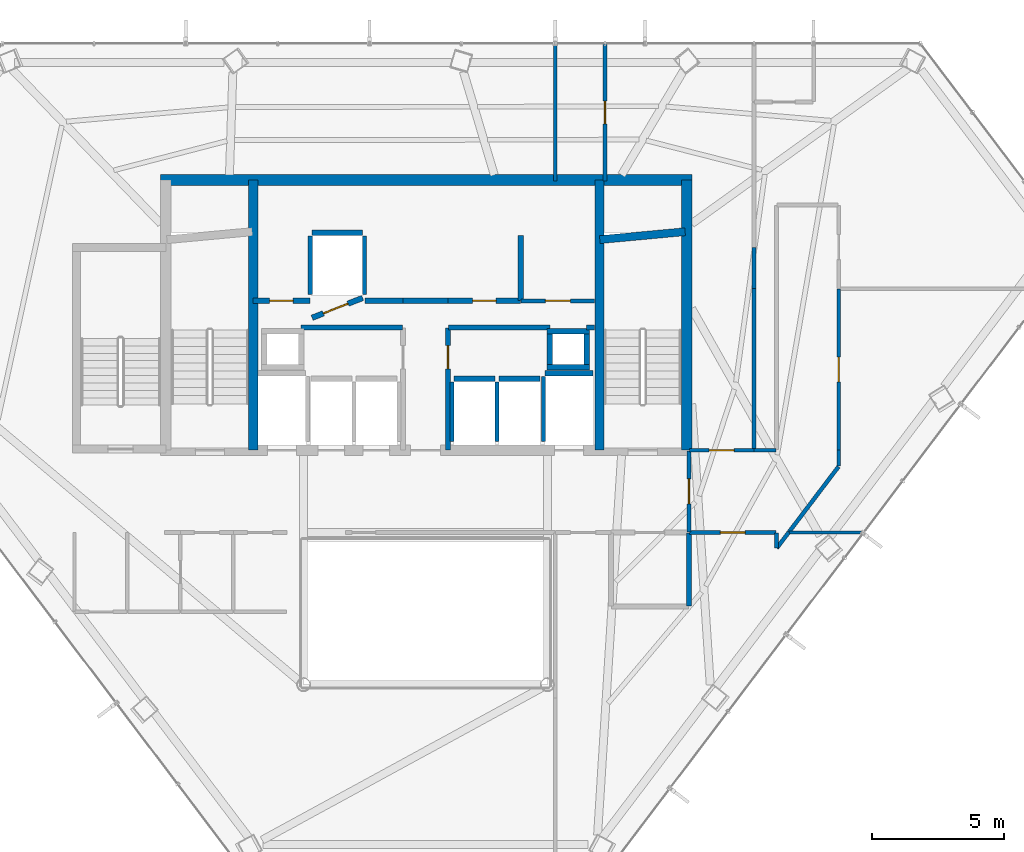
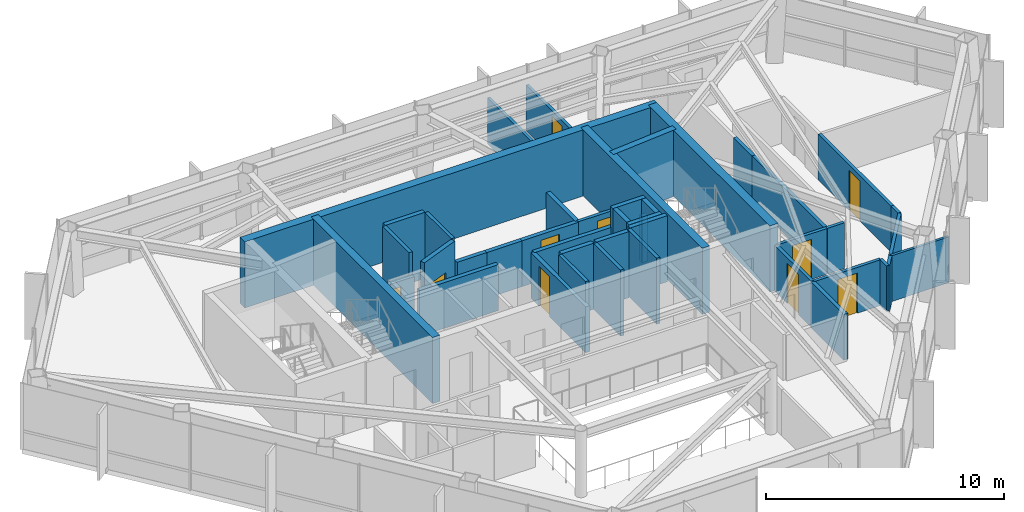
# One storey, part 26 of 28: 44 walls, 10 doors, 10 openings.
"""IFC4 building model written with IfcOpenShell, lengths in metres."""

from ifc_helpers import new_model, si_unit, direction, frame, frame_2d, origin, place, context, subcontext, project, spatial, rectangle, extrude, material, layer, layer_set, type_object, element, fill, save


model = new_model("IFC4")

# Units and contexts
model_context = context("Model", 3, precision=1e-05, world=origin(), true_north=direction((0.0, 1.0)))
body_context = subcontext(model_context, "Body", "Model", "MODEL_VIEW")
ifc_project = project(units=[si_unit("LENGTHUNIT", "METRE"), si_unit("AREAUNIT", "SQUARE_METRE"), si_unit("VOLUMEUNIT", "CUBIC_METRE"), si_unit("PLANEANGLEUNIT", "RADIAN"), si_unit("MASSUNIT", "GRAM", prefix="KILO")], contexts=[model_context])

# Site, building, storey
site_placement = place(None, origin())
site = spatial("IfcSite", under=ifc_project, at=site_placement, CompositionType="ELEMENT")
building_placement = place(site_placement, origin())
building = spatial("IfcBuilding", under=site, at=building_placement, Name="Zarrinselat Tower", CompositionType="ELEMENT")
storey_placement = place(building_placement, frame((0.0, 0.0, 190.739990234375)))
storey = spatial("IfcBuildingStorey", under=building, at=storey_placement, Name="L47", CompositionType="ELEMENT", Elevation=190.739990234375)

# Walls
ifc_material_1 = material(Name="Fire-Rated Gypsum Board Partition", Category="gypsum")
ifc_layer_1 = layer(ifc_material_1, 0.1650390625)
ifc_layer_set_1 = layer_set([ifc_layer_1], Name="Fire-Rated Gypsum Board Partition")
wall_type_1 = type_object("IfcWallType", Name="WAL-PART-DEMISE", PredefinedType="PARTITIONING", material=ifc_layer_set_1)
wall_1_placement = place(storey_placement, frame((50.800048828125, 33.27001953125, 0.0), z_axis=(0.0, 0.0, 1.0), x_axis=(0.0, 1.0, 0.0)))
element("IfcWall", 1, at=wall_1_placement, inside=storey, type_object=wall_type_1, Name="L47 Partition Wall 48", PredefinedType="PARTITIONING", context=body_context, shape_type="SweptSolid", body=[
    extrude(rectangle(XDim=6.077880859375, YDim=0.1650390625, at=frame_2d((3.0390625, 0.0))), origin(), (0.0, 0.0, 1.0), 2.346923828125),
])
wall_2_placement = place(storey_placement, frame((50.800048828125, 39.347900390625, 0.0), z_axis=(0.0, 0.0, 1.0), x_axis=(0.0, 1.0, 0.0)))
element("IfcWall", 2, at=wall_2_placement, inside=storey, type_object=wall_type_1, Name="L47 Partition Wall 49", PredefinedType="PARTITIONING", context=body_context, shape_type="SweptSolid", body=[
    extrude(rectangle(XDim=1.5498046875, YDim=0.1650390625, at=frame_2d((0.77490234375, 0.0))), origin(), (0.0, 0.0, 1.0), 2.346923828125),
])
ifc_material_2 = material(Name="Concrete C40/50", Category="concrete")
ifc_layer_2 = layer(ifc_material_2, 0.18994140625)
ifc_layer_set_2 = layer_set([ifc_layer_2], Name="Concrete C40/50")
wall_type_2 = type_object("IfcWallType", Name="WAL-PART-EI120", PredefinedType="PARTITIONING", material=ifc_layer_set_2)
wall_3_placement = place(storey_placement, frame((48.35009765625, 27.3701171875, 0.0), z_axis=(0.0, 0.0, 1.0), x_axis=(0.0, 1.0, 0.0)))
element("IfcWall", 3, at=wall_3_placement, inside=storey, type_object=wall_type_2, Name="L47 Partition Wall 21", PredefinedType="PARTITIONING", context=body_context, shape_type="SweptSolid", body=[
    extrude(rectangle(XDim=2.759765625, YDim=0.18994140625, at=frame_2d((1.3798828125, 0.0))), origin(), (0.0, 0.0, 1.0), 2.346923828125),
])

# Wall, opening, door
ifc_material_3 = material(Name="Fire-Rated Gypsum Board Partition", Category="gypsum")
ifc_layer_3 = layer(ifc_material_3, 0.14990234375)
ifc_layer_set_3 = layer_set([ifc_layer_3], Name="Fire-Rated Gypsum Board Partition")
wall_type_3 = type_object("IfcWallType", Name="WAL-PART-EI60", PredefinedType="PARTITIONING", material=ifc_layer_set_3)
wall_4_placement = place(storey_placement, frame((42.0048828125, 38.889892578125, 0.0), z_axis=(0.0, 0.0, 1.0), x_axis=(1.0, 0.0, 0.0)))
wall_4 = element("IfcWall", 4, at=wall_4_placement, inside=storey, type_object=wall_type_3, Name="L47 Partition Wall 7", PredefinedType="PARTITIONING", context=body_context, shape_type="SweptSolid", body=[
    extrude(rectangle(XDim=2.780029296875, YDim=0.14990234375, at=frame_2d((1.39013671875, 0.0))), origin(), (0.0, 0.0, 1.0), 2.346923828125),
])
opening_1_placement = place(wall_4_placement, frame((0.919921875, 0.0, 0.0)))
opening_1 = element("IfcOpeningElement", 5, at=opening_1_placement, cuts=wall_4, Name="Opening ID-04", PredefinedType="OPENING", context=body_context, shape_type="SweptSolid", body=[
    extrude(rectangle(XDim=0.93994140625, YDim=2.050048828125, at=frame_2d((0.469970703125, 1.02490234375))), frame((0.0, 0.0849609375, 0.0), z_axis=(0.0, -1.0, 0.0), x_axis=(1.0, 0.0, 0.0)), (0.0, 0.0, 1.0), 0.169921875),
])
ifc_material_4 = material(Name="Fire-Rated Gypsum Board Partition")
door_type_1 = type_object("IfcDoorType", Name="DR-INT-FD30-ENT", OperationType="NOTDEFINED", PredefinedType="DOOR", material=ifc_material_4)
door_1_placement = place(opening_1_placement, origin())
door_1 = element("IfcDoor", 6, at=door_1_placement, inside=storey, type_object=door_type_1, Name="L47 Interior Door P7", OperationType="SINGLE_SWING_RIGHT", OverallHeight=2.050048828125, OverallWidth=0.93994140625, PredefinedType="DOOR", context=body_context, shape_type="SweptSolid", body=[
    extrude(rectangle(XDim=0.93994140625, YDim=2.050048828125, at=frame_2d((0.469970703125, 1.02490234375))), frame((0.0, 0.02490234375, 0.0), z_axis=(0.0, -1.0, 0.0), x_axis=(1.0, 0.0, 0.0)), (0.0, 0.0, 1.0), 0.050048828125),
])
fill(opening_1, door_1)

wall_5_placement = place(storey_placement, frame((48.35009765625, 30.169921875, 0.0), z_axis=(0.0, 0.0, 1.0), x_axis=(0.0, 1.0, 0.0)))
wall_5 = element("IfcWall", 7, at=wall_5_placement, inside=storey, type_object=wall_type_3, Name="L47 Partition Wall 13", PredefinedType="PARTITIONING", context=body_context, shape_type="SweptSolid", body=[
    extrude(rectangle(XDim=3.06005859375, YDim=0.14990234375, at=frame_2d((1.530029296875, 0.0))), origin(), (0.0, 0.0, 1.0), 2.346923828125),
])
opening_2_placement = place(wall_5_placement, frame((1.06005859375, 0.0, 0.0)))
opening_2 = element("IfcOpeningElement", 8, at=opening_2_placement, cuts=wall_5, Name="Opening ID-04", PredefinedType="OPENING", context=body_context, shape_type="SweptSolid", body=[
    extrude(rectangle(XDim=0.93994140625, YDim=2.050048828125, at=frame_2d((0.469970703125, 1.02490234375))), frame((0.0, 0.0849609375, 0.0), z_axis=(0.0, -1.0, 0.0), x_axis=(1.0, 0.0, 0.0)), (0.0, 0.0, 1.0), 0.169921875),
])
door_2_placement = place(opening_2_placement, origin())
door_2 = element("IfcDoor", 9, at=door_2_placement, inside=storey, type_object=door_type_1, Name="L47 Interior Door P13", OperationType="SINGLE_SWING_LEFT", OverallHeight=2.050048828125, OverallWidth=0.93994140625, PredefinedType="DOOR", context=body_context, shape_type="SweptSolid", body=[
    extrude(rectangle(XDim=0.93994140625, YDim=2.050048828125, at=frame_2d((0.469970703125, 1.02490234375))), frame((0.0, 0.02490234375, 0.0), z_axis=(0.0, -1.0, 0.0), x_axis=(1.0, 0.0, 0.0)), (0.0, 0.0, 1.0), 0.050048828125),
])
fill(opening_2, door_2)

# Walls
wall_6_placement = place(storey_placement, frame((51.662109375, 29.557373046875, 0.0), z_axis=(0.0, 0.0, 1.0), x_axis=(0.603572672845, 0.797307988543, 0.0)))
element("IfcWall", 10, at=wall_6_placement, inside=storey, type_object=wall_type_3, Name="L47 Partition Wall 22", PredefinedType="PARTITIONING", context=body_context, shape_type="SweptSolid", body=[
    extrude(rectangle(XDim=0.7421875, YDim=0.14990234375, at=frame_2d((0.37109375, 0.0))), origin(), (0.0, 0.0, 1.0), 2.346923828125),
])
wall_7_placement = place(storey_placement, frame((51.64990234375, 29.5615234375, 0.0), z_axis=(0.0, 0.0, 1.0), x_axis=(0.0, 1.0, 0.0)))
element("IfcWall", 11, at=wall_7_placement, inside=storey, type_object=wall_type_3, Name="L47 Partition Wall 23", PredefinedType="PARTITIONING", context=body_context, shape_type="SweptSolid", body=[
    extrude(rectangle(XDim=0.568359375, YDim=0.14990234375, at=frame_2d((0.2841796875, 0.0))), origin(), (0.0, 0.0, 1.0), 2.346923828125),
])

# Wall, opening, door
wall_8_placement = place(storey_placement, frame((48.3701171875, 30.14990234375, 0.0), z_axis=(0.0, 0.0, 1.0), x_axis=(1.0, 0.0, 0.0)))
wall_8 = element("IfcWall", 12, at=wall_8_placement, inside=storey, type_object=wall_type_3, Name="L47 Partition Wall 24", PredefinedType="PARTITIONING", context=body_context, shape_type="SweptSolid", body=[
    extrude(rectangle(XDim=3.259765625, YDim=0.14990234375, at=frame_2d((1.6298828125, 0.0))), origin(), (0.0, 0.0, 1.0), 2.346923828125),
])
opening_3_placement = place(wall_8_placement, frame((1.159912109375, 0.0, 0.0)))
opening_3 = element("IfcOpeningElement", 13, at=opening_3_placement, cuts=wall_8, Name="Opening ID-04", PredefinedType="OPENING", context=body_context, shape_type="SweptSolid", body=[
    extrude(rectangle(XDim=0.93994140625, YDim=2.050048828125, at=frame_2d((0.469970703125, 1.02490234375))), frame((0.0, 0.0849609375, 0.0), z_axis=(0.0, -1.0, 0.0), x_axis=(1.0, 0.0, 0.0)), (0.0, 0.0, 1.0), 0.169921875),
])
door_3_placement = place(opening_3_placement, origin())
door_3 = element("IfcDoor", 14, at=door_3_placement, inside=storey, type_object=door_type_1, Name="L47 Interior Door P24", OperationType="SINGLE_SWING_RIGHT", OverallHeight=2.050048828125, OverallWidth=0.93994140625, PredefinedType="DOOR", context=body_context, shape_type="SweptSolid", body=[
    extrude(rectangle(XDim=0.93994140625, YDim=2.050048828125, at=frame_2d((0.469970703125, 1.02490234375))), frame((0.0, 0.02490234375, 0.0), z_axis=(0.0, -1.0, 0.0), x_axis=(1.0, 0.0, 0.0)), (0.0, 0.0, 1.0), 0.050048828125),
])
fill(opening_3, door_3)

wall_9_placement = place(storey_placement, frame((54.0, 33.25, 0.0), z_axis=(0.0, 0.0, 1.0), x_axis=(0.0, 1.0, 0.0)))
wall_9 = element("IfcWall", 15, at=wall_9_placement, inside=storey, type_object=wall_type_3, Name="L47 Partition Wall 25", PredefinedType="PARTITIONING", context=body_context, shape_type="SweptSolid", body=[
    extrude(rectangle(XDim=6.0927734375, YDim=0.14990234375, at=frame_2d((3.04638671875, 0.0))), origin(), (0.0, 0.0, 1.0), 2.346923828125),
])
opening_4_placement = place(wall_9_placement, frame((2.576416015625, 0.0, 0.0)))
opening_4 = element("IfcOpeningElement", 16, at=opening_4_placement, cuts=wall_9, Name="Opening ID-04", PredefinedType="OPENING", context=body_context, shape_type="SweptSolid", body=[
    extrude(rectangle(XDim=0.93994140625, YDim=2.050048828125, at=frame_2d((0.469970703125, 1.02490234375))), frame((0.0, 0.0849609375, 0.0), z_axis=(0.0, -1.0, 0.0), x_axis=(1.0, 0.0, 0.0)), (0.0, 0.0, 1.0), 0.169921875),
])
door_4_placement = place(opening_4_placement, origin())
door_4 = element("IfcDoor", 17, at=door_4_placement, inside=storey, type_object=door_type_1, Name="L47 Interior Door P25", OperationType="SINGLE_SWING_LEFT", OverallHeight=2.050048828125, OverallWidth=0.93994140625, PredefinedType="DOOR", context=body_context, shape_type="SweptSolid", body=[
    extrude(rectangle(XDim=0.93994140625, YDim=2.050048828125, at=frame_2d((0.469970703125, 1.02490234375))), frame((0.0, 0.02490234375, 0.0), z_axis=(0.0, -1.0, 0.0), x_axis=(1.0, 0.0, 0.0)), (0.0, 0.0, 1.0), 0.050048828125),
])
fill(opening_4, door_4)

# Walls
wall_10_placement = place(storey_placement, frame((54.0, 32.66357421875, 0.0), z_axis=(0.0, 0.0, 1.0), x_axis=(0.0, 1.0, 0.0)))
element("IfcWall", 18, at=wall_10_placement, inside=storey, type_object=wall_type_3, Name="L47 Partition Wall 26", PredefinedType="PARTITIONING", context=body_context, shape_type="SweptSolid", body=[
    extrude(rectangle(XDim=0.58642578125, YDim=0.14990234375, at=frame_2d((0.293212890625, 0.0))), origin(), (0.0, 0.0, 1.0), 2.346923828125),
])
wall_11_placement = place(storey_placement, frame((52.114013671875, 30.154052734375, 0.0), z_axis=(0.0, 0.0, 1.0), x_axis=(0.603819819336, 0.797120835116, 0.0)))
element("IfcWall", 19, at=wall_11_placement, inside=storey, type_object=wall_type_3, Name="L47 Partition Wall 27", PredefinedType="PARTITIONING", context=body_context, shape_type="SweptSolid", body=[
    extrude(rectangle(XDim=3.103271484375, YDim=0.14990234375, at=frame_2d((1.5517578125, 0.0))), origin(), (0.0, 0.0, 1.0), 2.346923828125),
])
wall_12_placement = place(storey_placement, frame((50.804931640625, 33.25, 0.0), z_axis=(0.0, 0.0, 1.0), x_axis=(1.0, 0.0, 0.0)))
element("IfcWall", 20, at=wall_12_placement, inside=storey, type_object=wall_type_3, Name="L47 Partition Wall 28", PredefinedType="PARTITIONING", context=body_context, shape_type="SweptSolid", body=[
    extrude(rectangle(XDim=0.824951171875, YDim=0.14990234375, at=frame_2d((0.41259765625, 0.0))), origin(), (0.0, 0.0, 1.0), 2.346923828125),
])

# Wall, opening, door
wall_13_placement = place(storey_placement, frame((48.364990234375, 33.25, 0.0), z_axis=(0.0, 0.0, 1.0), x_axis=(1.0, 0.0, 0.0)))
wall_13 = element("IfcWall", 21, at=wall_13_placement, inside=storey, type_object=wall_type_3, Name="L47 Partition Wall 32", PredefinedType="PARTITIONING", context=body_context, shape_type="SweptSolid", body=[
    extrude(rectangle(XDim=2.429931640625, YDim=0.14990234375, at=frame_2d((1.21484375, 0.0))), origin(), (0.0, 0.0, 1.0), 2.346923828125),
])
opening_5_placement = place(wall_13_placement, frame((0.7451171875, 0.0, 0.0)))
opening_5 = element("IfcOpeningElement", 22, at=opening_5_placement, cuts=wall_13, Name="Opening ID-04", PredefinedType="OPENING", context=body_context, shape_type="SweptSolid", body=[
    extrude(rectangle(XDim=0.93994140625, YDim=2.050048828125, at=frame_2d((0.469970703125, 1.02490234375))), frame((0.0, 0.0849609375, 0.0), z_axis=(0.0, -1.0, 0.0), x_axis=(1.0, 0.0, 0.0)), (0.0, 0.0, 1.0), 0.169921875),
])
door_5_placement = place(opening_5_placement, origin())
door_5 = element("IfcDoor", 23, at=door_5_placement, inside=storey, type_object=door_type_1, Name="L47 Interior Door P32", OperationType="SINGLE_SWING_LEFT", OverallHeight=2.050048828125, OverallWidth=0.93994140625, PredefinedType="DOOR", context=body_context, shape_type="SweptSolid", body=[
    extrude(rectangle(XDim=0.93994140625, YDim=2.050048828125, at=frame_2d((0.469970703125, 1.02490234375))), frame((0.0, 0.02490234375, 0.0), z_axis=(0.0, -1.0, 0.0), x_axis=(1.0, 0.0, 0.0)), (0.0, 0.0, 1.0), 0.050048828125),
])
fill(opening_5, door_5)

# Wall
ifc_material_5 = material(Name="Concrete C40/50", Category="concrete")
ifc_layer_4 = layer(ifc_material_5, 0.199951171875)
ifc_layer_set_4 = layer_set([ifc_layer_4], Name="Concrete C40/50")
wall_type_4 = type_object("IfcWallType", Name="WAL-PART-PLANT", PredefinedType="PARTITIONING", material=ifc_layer_set_4)
wall_14_placement = place(storey_placement, frame((33.705078125, 37.8798828125, 0.0), z_axis=(0.0, 0.0, 1.0), x_axis=(1.0, 0.0, 0.0)))
element("IfcWall", 24, at=wall_14_placement, inside=storey, type_object=wall_type_4, Name="L47 Partition Wall 2", PredefinedType="PARTITIONING", context=body_context, shape_type="SweptSolid", body=[
    extrude(rectangle(XDim=3.824951171875, YDim=0.199951171875, at=frame_2d((1.91259765625, 0.0))), origin(), (0.0, 0.0, 1.0), 2.346923828125),
])

# Wall, opening, door
wall_15_placement = place(storey_placement, frame((31.885009765625, 38.889892578125, 0.0), z_axis=(0.0, 0.0, 1.0), x_axis=(1.0, 0.0, 0.0)))
wall_15 = element("IfcWall", 25, at=wall_15_placement, inside=storey, type_object=wall_type_4, Name="L47 Partition Wall 3", PredefinedType="PARTITIONING", context=body_context, shape_type="SweptSolid", body=[
    extrude(rectangle(XDim=2.14990234375, YDim=0.199951171875, at=frame_2d((1.074951171875, 0.0))), origin(), (0.0, 0.0, 1.0), 2.346923828125),
])
opening_6_placement = place(wall_15_placement, frame((0.635009765625, 0.0, 0.0)))
opening_6 = element("IfcOpeningElement", 26, at=opening_6_placement, cuts=wall_15, Name="Opening ID-03", PredefinedType="OPENING", context=body_context, shape_type="SweptSolid", body=[
    extrude(rectangle(XDim=0.8798828125, YDim=2.050048828125, at=frame_2d((0.43994140625, 1.02490234375))), frame((0.0, 0.10986328125, 0.0), z_axis=(0.0, -1.0, 0.0), x_axis=(1.0, 0.0, 0.0)), (0.0, 0.0, 1.0), 0.219970703125),
])
ifc_material_6 = material(Name="Steel S355J2", Category="steel")
door_type_2 = type_object("IfcDoorType", Name="DR-INT-FD60-S", OperationType="NOTDEFINED", PredefinedType="DOOR", material=ifc_material_6)
door_6_placement = place(opening_6_placement, origin())
door_6 = element("IfcDoor", 27, at=door_6_placement, inside=storey, type_object=door_type_2, Name="L47 Interior Door P3", OperationType="SINGLE_SWING_RIGHT", OverallHeight=2.050048828125, OverallWidth=0.8798828125, PredefinedType="DOOR", context=body_context, shape_type="SweptSolid", body=[
    extrude(rectangle(XDim=0.8798828125, YDim=2.050048828125, at=frame_2d((0.43994140625, 1.02490234375))), frame((0.0, 0.02490234375, 0.0), z_axis=(0.0, -1.0, 0.0), x_axis=(1.0, 0.0, 0.0)), (0.0, 0.0, 1.0), 0.050048828125),
])
fill(opening_6, door_6)

# Walls
wall_16_placement = place(storey_placement, frame((36.114990234375, 38.889892578125, 0.0), z_axis=(0.0, 0.0, 1.0), x_axis=(1.0, 0.0, 0.0)))
element("IfcWall", 28, at=wall_16_placement, inside=storey, type_object=wall_type_4, Name="L47 Partition Wall 4", PredefinedType="PARTITIONING", context=body_context, shape_type="SweptSolid", body=[
    extrude(rectangle(XDim=1.43505859375, YDim=0.199951171875, at=frame_2d((0.717529296875, 0.0))), origin(), (0.0, 0.0, 1.0), 2.346923828125),
])
wall_17_placement = place(storey_placement, frame((37.550048828125, 38.889892578125, 0.0), z_axis=(0.0, 0.0, 1.0), x_axis=(1.0, 0.0, 0.0)))
element("IfcWall", 29, at=wall_17_placement, inside=storey, type_object=wall_type_4, Name="L47 Partition Wall 5", PredefinedType="PARTITIONING", context=body_context, shape_type="SweptSolid", body=[
    extrude(rectangle(XDim=1.699951171875, YDim=0.199951171875, at=frame_2d((0.85009765625, 0.0))), origin(), (0.0, 0.0, 1.0), 2.346923828125),
])

# Wall, opening, door
wall_18_placement = place(storey_placement, frame((39.25, 38.889892578125, 0.0), z_axis=(0.0, 0.0, 1.0), x_axis=(1.0, 0.0, 0.0)))
wall_18 = element("IfcWall", 30, at=wall_18_placement, inside=storey, type_object=wall_type_4, Name="L47 Partition Wall 6", PredefinedType="PARTITIONING", context=body_context, shape_type="SweptSolid", body=[
    extrude(rectangle(XDim=2.7451171875, YDim=0.199951171875, at=frame_2d((1.37255859375, 0.0))), origin(), (0.0, 0.0, 1.0), 2.346923828125),
])
opening_7_placement = place(wall_18_placement, frame((0.9326171875, 0.0, 0.0)))
opening_7 = element("IfcOpeningElement", 31, at=opening_7_placement, cuts=wall_18, Name="Opening ID-03", PredefinedType="OPENING", context=body_context, shape_type="SweptSolid", body=[
    extrude(rectangle(XDim=0.8798828125, YDim=2.050048828125, at=frame_2d((0.43994140625, 1.02490234375))), frame((0.0, 0.10986328125, 0.0), z_axis=(0.0, -1.0, 0.0), x_axis=(1.0, 0.0, 0.0)), (0.0, 0.0, 1.0), 0.219970703125),
])
door_7_placement = place(opening_7_placement, origin())
door_7 = element("IfcDoor", 32, at=door_7_placement, inside=storey, type_object=door_type_2, Name="L47 Interior Door P6", OperationType="SINGLE_SWING_LEFT", OverallHeight=2.050048828125, OverallWidth=0.8798828125, PredefinedType="DOOR", context=body_context, shape_type="SweptSolid", body=[
    extrude(rectangle(XDim=0.8798828125, YDim=2.050048828125, at=frame_2d((0.43994140625, 1.02490234375))), frame((0.0, 0.02490234375, 0.0), z_axis=(0.0, -1.0, 0.0), x_axis=(1.0, 0.0, 0.0)), (0.0, 0.0, 1.0), 0.050048828125),
])
fill(opening_7, door_7)

# Walls
wall_19_placement = place(storey_placement, frame((39.27001953125, 37.8798828125, 0.0), z_axis=(0.0, 0.0, 1.0), x_axis=(1.0, 0.0, 0.0)))
element("IfcWall", 33, at=wall_19_placement, inside=storey, type_object=wall_type_4, Name="L47 Partition Wall 8", PredefinedType="PARTITIONING", context=body_context, shape_type="SweptSolid", body=[
    extrude(rectangle(XDim=3.824951171875, YDim=0.199951171875, at=frame_2d((1.91259765625, 0.0))), origin(), (0.0, 0.0, 1.0), 2.346923828125),
])
wall_20_placement = place(storey_placement, frame((44.485107421875, 37.8798828125, 0.0), z_axis=(0.0, 0.0, 1.0), x_axis=(1.0, 0.0, 0.0)))
element("IfcWall", 34, at=wall_20_placement, inside=storey, type_object=wall_type_4, Name="L47 Partition Wall 9", PredefinedType="PARTITIONING", context=body_context, shape_type="SweptSolid", body=[
    extrude(rectangle(XDim=0.2998046875, YDim=0.199951171875, at=frame_2d((0.14990234375, 0.0))), origin(), (0.0, 0.0, 1.0), 2.346923828125),
])

# Wall, opening, door
wall_21_placement = place(storey_placement, frame((39.25, 33.264892578125, 0.0), z_axis=(0.0, 0.0, 1.0), x_axis=(0.0, 1.0, 0.0)))
wall_21 = element("IfcWall", 35, at=wall_21_placement, inside=storey, type_object=wall_type_4, Name="L47 Partition Wall 10", PredefinedType="PARTITIONING", context=body_context, shape_type="SweptSolid", body=[
    extrude(rectangle(XDim=4.59521484375, YDim=0.199951171875, at=frame_2d((2.297607421875, 0.0))), origin(), (0.0, 0.0, 1.0), 2.346923828125),
])
opening_8_placement = place(wall_21_placement, frame((3.0576171875, 0.0, 0.0)))
opening_8 = element("IfcOpeningElement", 36, at=opening_8_placement, cuts=wall_21, Name="Opening ID-03", PredefinedType="OPENING", context=body_context, shape_type="SweptSolid", body=[
    extrude(rectangle(XDim=0.8798828125, YDim=2.050048828125, at=frame_2d((0.43994140625, 1.02490234375))), frame((0.0, 0.10986328125, 0.0), z_axis=(0.0, -1.0, 0.0), x_axis=(1.0, 0.0, 0.0)), (0.0, 0.0, 1.0), 0.219970703125),
])
door_8_placement = place(opening_8_placement, origin())
door_8 = element("IfcDoor", 37, at=door_8_placement, inside=storey, type_object=door_type_2, Name="L47 Interior Door P10", OperationType="SINGLE_SWING_LEFT", OverallHeight=2.050048828125, OverallWidth=0.8798828125, PredefinedType="DOOR", context=body_context, shape_type="SweptSolid", body=[
    extrude(rectangle(XDim=0.8798828125, YDim=2.050048828125, at=frame_2d((0.43994140625, 1.02490234375))), frame((0.0, 0.02490234375, 0.0), z_axis=(0.0, -1.0, 0.0), x_axis=(1.0, 0.0, 0.0)), (0.0, 0.0, 1.0), 0.050048828125),
])
fill(opening_8, door_8)

# Walls
wall_22_placement = place(storey_placement, frame((42.0, 38.909912109375, 0.0), z_axis=(0.0, 0.0, 1.0), x_axis=(0.0, 1.0, 0.0)))
element("IfcWall", 38, at=wall_22_placement, inside=storey, type_object=wall_type_4, Name="L47 Partition Wall 11", PredefinedType="PARTITIONING", context=body_context, shape_type="SweptSolid", body=[
    extrude(rectangle(XDim=2.440185546875, YDim=0.199951171875, at=frame_2d((1.22021484375, 0.0))), origin(), (0.0, 0.0, 1.0), 2.346923828125),
])
ifc_material_7 = material(Name="Fire-Rated Gypsum Board Partition", Category="gypsum")
ifc_layer_5 = layer(ifc_material_7, 0.1201171875)
ifc_layer_set_5 = layer_set([ifc_layer_5], Name="Fire-Rated Gypsum Board Partition")
wall_type_5 = type_object("IfcWallType", Name="WAL-PART-STD", PredefinedType="PARTITIONING", material=ifc_layer_set_5)
wall_23_placement = place(storey_placement, frame((52.131103515625, 30.14990234375, 0.0), z_axis=(0.0, 0.0, 1.0), x_axis=(1.0, 0.0, 0.0)))
element("IfcWall", 39, at=wall_23_placement, inside=storey, type_object=wall_type_5, Name="L47 Partition Wall 44", PredefinedType="PARTITIONING", context=body_context, shape_type="SweptSolid", body=[
    extrude(rectangle(XDim=2.80029296875, YDim=0.1201171875, at=frame_2d((1.400146484375, 0.0))), origin(), (0.0, 0.0, 1.0), 2.346923828125),
])
ifc_material_8 = material(Name="Fire-Rated Gypsum Board Partition", Category="gypsum")
ifc_layer_6 = layer(ifc_material_8, 0.135009765625)
ifc_layer_set_6 = layer_set([ifc_layer_6], Name="Fire-Rated Gypsum Board Partition")
wall_type_6 = type_object("IfcWallType", Name="WAL-PART-WET", PredefinedType="PARTITIONING", material=ifc_layer_set_6)
wall_24_placement = place(storey_placement, frame((43.300048828125, 43.4150390625, 0.0), z_axis=(0.0, 0.0, 1.0), x_axis=(0.0, 1.0, 0.0)))
element("IfcWall", 40, at=wall_24_placement, inside=storey, type_object=wall_type_6, Name="L47 Partition Wall 43", PredefinedType="PARTITIONING", context=body_context, shape_type="SweptSolid", body=[
    extrude(rectangle(XDim=5.175537109375, YDim=0.135009765625, at=frame_2d((2.587890625, 0.0))), origin(), (0.0, 0.0, 1.0), 2.346923828125),
])

# Wall, opening, door
wall_25_placement = place(storey_placement, frame((45.175048828125, 43.4150390625, 0.0), z_axis=(0.0, 0.0, 1.0), x_axis=(0.0, 1.0, 0.0)))
wall_25 = element("IfcWall", 41, at=wall_25_placement, inside=storey, type_object=wall_type_6, Name="L47 Partition Wall 52", PredefinedType="PARTITIONING", context=body_context, shape_type="SweptSolid", body=[
    extrude(rectangle(XDim=5.175537109375, YDim=0.135009765625, at=frame_2d((2.587890625, 0.0))), origin(), (0.0, 0.0, 1.0), 2.346923828125),
])
opening_9_placement = place(wall_25_placement, frame((2.15771484375, 0.0, 0.0)))
opening_9 = element("IfcOpeningElement", 42, at=opening_9_placement, cuts=wall_25, Name="Opening ID-06", PredefinedType="OPENING", context=body_context, shape_type="SweptSolid", body=[
    extrude(rectangle(XDim=0.860107421875, YDim=2.050048828125, at=frame_2d((0.43017578125, 1.02490234375))), frame((0.0, 0.077392578125, 0.0), z_axis=(0.0, -1.0, 0.0), x_axis=(1.0, 0.0, 0.0)), (0.0, 0.0, 1.0), 0.155029296875),
])
ifc_material_9 = material(Name="Extruded Aluminium Alloy EN AW-6063 T6", Category="aluminium")
door_type_3 = type_object("IfcDoorType", Name="DR-INT-WET-900", OperationType="NOTDEFINED", PredefinedType="DOOR", material=ifc_material_9)
door_9_placement = place(opening_9_placement, origin())
door_9 = element("IfcDoor", 43, at=door_9_placement, inside=storey, type_object=door_type_3, Name="L47 Interior Door P52", OperationType="SINGLE_SWING_LEFT", OverallHeight=2.050048828125, OverallWidth=0.860107421875, PredefinedType="DOOR", context=body_context, shape_type="SweptSolid", body=[
    extrude(rectangle(XDim=0.860107421875, YDim=2.050048828125, at=frame_2d((0.43017578125, 1.02490234375))), frame((0.0, 0.02490234375, 0.0), z_axis=(0.0, -1.0, 0.0), x_axis=(1.0, 0.0, 0.0)), (0.0, 0.0, 1.0), 0.050048828125),
])
fill(opening_9, door_9)

# Walls
ifc_material_10 = material(Name="Concrete C40/50", Category="concrete")
ifc_layer_7 = layer(ifc_material_10, 0.2099609375)
ifc_layer_set_7 = layer_set([ifc_layer_7], Name="Concrete C40/50")
wall_type_7 = type_object("IfcWallType", Name="WAL-SHAFT-210", PredefinedType="SOLIDWALL", material=ifc_layer_set_7)
wall_26_placement = place(storey_placement, frame((42.919921875, 36.155029296875, 0.0), z_axis=(0.0, 0.0, 1.0), x_axis=(1.0, 0.0, 0.0)))
element("IfcWall", 44, at=wall_26_placement, inside=storey, type_object=wall_type_7, Name="L47 Lift FFL2 North Shaft Wall", PredefinedType="SOLIDWALL", context=body_context, shape_type="SweptSolid", body=[
    extrude(rectangle(XDim=1.800048828125, YDim=0.2099609375, at=frame_2d((0.89990234375, 0.0))), origin(), (0.0, 0.0, 1.0), 3.389892578125),
])
wall_27_placement = place(storey_placement, frame((42.85009765625, 33.580078125, 0.0), z_axis=(0.0, 0.0, 1.0), x_axis=(0.0, 1.0, 0.0)))
element("IfcWall", 45, at=wall_27_placement, inside=storey, type_object=wall_type_7, Name="L47 Lift FFL2 W Shaft Wall", PredefinedType="SOLIDWALL", context=body_context, shape_type="SweptSolid", body=[
    extrude(rectangle(XDim=2.449951171875, YDim=0.159912109375, at=frame_2d((1.22509765625, 0.0))), origin(), (0.0, 0.0, 1.0), 3.389892578125),
])

# Wall, opening, door
wall_28_placement = place(storey_placement, frame((34.1201171875, 38.25, 0.0), z_axis=(0.0, 0.0, 1.0), x_axis=(0.930804993012, 0.36551616241, 0.0)))
wall_28 = element("IfcWall", 46, at=wall_28_placement, inside=storey, type_object=wall_type_7, Name="L47 Lift PL7 Front Shaft Wall", PredefinedType="SOLIDWALL", context=body_context, shape_type="SweptSolid", body=[
    extrude(rectangle(XDim=2.052001953125, YDim=0.2099609375, at=frame_2d((1.02587890625, 0.0))), origin(), (0.0, 0.0, 1.0), 3.389892578125),
])
opening_10_placement = place(wall_28_placement, frame((0.455078125, 0.0, 0.0)))
opening_10 = element("IfcOpeningElement", 47, at=opening_10_placement, cuts=wall_28, Name="Opening LD-PL7", PredefinedType="OPENING", context=body_context, shape_type="SweptSolid", body=[
    extrude(rectangle(XDim=1.0, YDim=2.10009765625, at=frame_2d((0.5, 1.050048828125))), frame((0.0, 0.114990234375, 0.0), z_axis=(0.0, -1.0, 0.0), x_axis=(1.0, 0.0, 0.0)), (0.0, 0.0, 1.0), 0.22998046875),
])
ifc_material_11 = material(Name="Steel S355J2", Category="steel")
door_type_4 = type_object("IfcDoorType", Name="DR-LIFT-PS-1000", OperationType="NOTDEFINED", PredefinedType="DOOR", material=ifc_material_11)
door_10_placement = place(opening_10_placement, origin())
door_10 = element("IfcDoor", 48, at=door_10_placement, inside=storey, type_object=door_type_4, Name="L47 Lift PL7 Sliding Landing Door", OperationType="SLIDING_TO_LEFT", OverallHeight=2.10009765625, OverallWidth=1.0, PredefinedType="DOOR", context=body_context, shape_type="SweptSolid", body=[
    extrude(rectangle(XDim=1.0, YDim=2.10009765625, at=frame_2d((0.5, 1.050048828125))), frame((0.0, 0.02490234375, 0.0), z_axis=(0.0, -1.0, 0.0), x_axis=(1.0, 0.0, 0.0)), (0.0, 0.0, 1.0), 0.050048828125),
])
fill(opening_10, door_10)

# Walls
wall_29_placement = place(storey_placement, frame((34.1201171875, 41.455078125, 0.0), z_axis=(0.0, 0.0, 1.0), x_axis=(1.0, 0.0, 0.0)))
element("IfcWall", 49, at=wall_29_placement, inside=storey, type_object=wall_type_7, Name="L47 Lift PL7 Rear Shaft Wall", PredefinedType="SOLIDWALL", context=body_context, shape_type="SweptSolid", body=[
    extrude(rectangle(XDim=1.909912109375, YDim=0.2099609375, at=frame_2d((0.955078125, 0.0))), origin(), (0.0, 0.0, 1.0), 3.389892578125),
])
for number, where, z_axis, x_axis, name in (
    (50, (34.050048828125, 39.1201171875, 0.0), (0.0, 0.0, 1.0), (0.0, 1.0, 0.0), "L47 Lift PL7 W Shaft Wall"),
    (51, (36.10009765625, 39.1201171875, 0.0), (0.0, 0.0, 1.0), (0.0, 1.0, 0.0), "L47 Lift PL7 E Shaft Wall"),
):
    element("IfcWall", number, at=place(storey_placement, frame(where, z_axis=z_axis, x_axis=x_axis)), inside=storey, type_object=wall_type_7, Name=name, PredefinedType="SOLIDWALL", context=body_context, shape_type="SweptSolid", body=[
        extrude(rectangle(XDim=2.2099609375, YDim=0.159912109375, at=frame_2d((1.10498046875, 0.0))), origin(), (0.0, 0.0, 1.0), 3.389892578125),
    ])
wall_30_placement = place(storey_placement, frame((39.469970703125, 35.955078125, 0.0), z_axis=(0.0, 0.0, 1.0), x_axis=(1.0, 0.0, 0.0)))
element("IfcWall", 52, at=wall_30_placement, inside=storey, type_object=wall_type_7, Name="L47 Lift PL8 North Shaft Wall", PredefinedType="SOLIDWALL", context=body_context, shape_type="SweptSolid", body=[
    extrude(rectangle(XDim=1.56005859375, YDim=0.2099609375, at=frame_2d((0.780029296875, 0.0))), origin(), (0.0, 0.0, 1.0), 3.389892578125),
])
for number, where, z_axis, x_axis, name in (
    (53, (39.39990234375, 33.580078125, 0.0), (0.0, 0.0, 1.0), (0.0, 1.0, 0.0), "L47 Lift PL8 W Shaft Wall"),
    (54, (41.10009765625, 33.580078125, 0.0), (0.0, 0.0, 1.0), (0.0, 1.0, 0.0), "L47 Lift PL8 E Shaft Wall"),
):
    element("IfcWall", number, at=place(storey_placement, frame(where, z_axis=z_axis, x_axis=x_axis)), inside=storey, type_object=wall_type_7, Name=name, PredefinedType="SOLIDWALL", context=body_context, shape_type="SweptSolid", body=[
        extrude(rectangle(XDim=2.25, YDim=0.159912109375, at=frame_2d((1.125, 0.0))), origin(), (0.0, 0.0, 1.0), 3.389892578125),
    ])
wall_31_placement = place(storey_placement, frame((41.169921875, 35.955078125, 0.0), z_axis=(0.0, 0.0, 1.0), x_axis=(1.0, 0.0, 0.0)))
element("IfcWall", 55, at=wall_31_placement, inside=storey, type_object=wall_type_7, Name="L47 Lift PL9 North Shaft Wall", PredefinedType="SOLIDWALL", context=body_context, shape_type="SweptSolid", body=[
    extrude(rectangle(XDim=1.56005859375, YDim=0.2099609375, at=frame_2d((0.780029296875, 0.0))), origin(), (0.0, 0.0, 1.0), 3.389892578125),
])
for number, where, z_axis, x_axis, name in (
    (56, (42.989990234375, 36.375, 0.0), (0.0, 0.0, 1.0), (1.0, 0.0, 0.0), "L47 Core Riser RSR-E S Shaft Wall"),
    (57, (42.989990234375, 37.7451171875, 0.0), (0.0, 0.0, 1.0), (1.0, 0.0, 0.0), "L47 Core Riser RSR-E N Shaft Wall"),
):
    element("IfcWall", number, at=place(storey_placement, frame(where, z_axis=z_axis, x_axis=x_axis)), inside=storey, type_object=wall_type_7, Name=name, PredefinedType="SOLIDWALL", context=body_context, shape_type="SweptSolid", body=[
        extrude(rectangle(XDim=1.60009765625, YDim=0.2099609375, at=frame_2d((0.800048828125, 0.0))), origin(), (0.0, 0.0, 1.0), 3.389892578125),
    ])
for number, where, z_axis, x_axis, name in (
    (58, (43.094970703125, 36.485107421875, 0.0), (0.0, 0.0, 1.0), (0.0, 1.0, 0.0), "L47 Core Riser RSR-E W Shaft Wall"),
    (59, (44.485107421875, 36.485107421875, 0.0), (0.0, 0.0, 1.0), (0.0, 1.0, 0.0), "L47 Core Riser RSR-E E Shaft Wall"),
):
    element("IfcWall", number, at=place(storey_placement, frame(where, z_axis=z_axis, x_axis=x_axis)), inside=storey, type_object=wall_type_7, Name=name, PredefinedType="SOLIDWALL", context=body_context, shape_type="SweptSolid", body=[
        extrude(rectangle(XDim=1.14990234375, YDim=0.2099609375, at=frame_2d((0.574951171875, 0.0))), origin(), (0.0, 0.0, 1.0), 3.389892578125),
    ])
ifc_material_12 = material(Name="Concrete C40/50", Category="concrete")
ifc_layer_8 = layer(ifc_material_12, 0.300048828125)
ifc_layer_set_8 = layer_set([ifc_layer_8], Name="Concrete C40/50")
wall_type_8 = type_object("IfcWallType", Name="WAL-SHEAR-300", PredefinedType="SHEAR", material=ifc_layer_set_8)
wall_32_placement = place(storey_placement, frame((44.97998046875, 41.199951171875, 0.0), z_axis=(0.0, 0.0, 1.0), x_axis=(0.995686468965, 0.09278176286, 0.0)))
element("IfcWall", 60, at=wall_32_placement, inside=storey, type_object=wall_type_8, Name="L47 Stair 2 North Shaft Wall", PredefinedType="SHEAR", context=body_context, shape_type="SweptSolid", body=[
    extrude(rectangle(XDim=3.23388671875, YDim=0.300048828125, at=frame_2d((1.616943359375, 0.0))), origin(), (0.0, 0.0, 1.0), 3.389892578125),
])
ifc_material_13 = material(Name="Concrete C50/60", Category="concrete")
ifc_layer_9 = layer(ifc_material_13, 0.35009765625)
ifc_layer_set_9 = layer_set([ifc_layer_9], Name="Concrete C50/60")
wall_type_9 = type_object("IfcWallType", Name="WAL-SHEAR-350", PredefinedType="SHEAR", material=ifc_layer_set_9)
for number, where, z_axis, x_axis, name in (
    (61, (31.89501953125, 33.25, 0.0), (0.0, 0.0, 1.0), (0.0, 1.0, 0.0), "L47 Core Shear Wall ST1E"),
    (62, (44.965087890625, 33.25, 0.0), (0.0, 0.0, 1.0), (0.0, 1.0, 0.0), "L47 Core Shear Wall ST2W"),
):
    element("IfcWall", number, at=place(storey_placement, frame(where, z_axis=z_axis, x_axis=x_axis)), inside=storey, type_object=wall_type_9, Name=name, PredefinedType="SHEAR", context=body_context, shape_type="SweptSolid", body=[
        extrude(rectangle(XDim=10.199951171875, YDim=0.35009765625, at=frame_2d((5.10009765625, 0.0))), origin(), (0.0, 0.0, 1.0), 3.389892578125),
    ])
ifc_material_14 = material(Name="Concrete C60/75", Category="concrete")
ifc_layer_10 = layer(ifc_material_14, 0.39990234375)
ifc_layer_set_10 = layer_set([ifc_layer_10], Name="Concrete C60/75")
wall_type_10 = type_object("IfcWallType", Name="WAL-SHEAR-400", PredefinedType="SHEAR", material=ifc_layer_set_10)
wall_33_placement = place(storey_placement, frame((28.39990234375, 43.449951171875, 0.0), z_axis=(0.0, 0.0, 1.0), x_axis=(1.0, 0.0, 0.0)))
element("IfcWall", 63, at=wall_33_placement, inside=storey, type_object=wall_type_10, Name="L47 North Core Shear Wall", PredefinedType="SHEAR", context=body_context, shape_type="SweptSolid", body=[
    extrude(rectangle(XDim=20.06005859375, YDim=0.39990234375, at=frame_2d((10.030029296875, 0.0))), origin(), (0.0, 0.0, 1.0), 3.389892578125),
])
wall_34_placement = place(storey_placement, frame((48.260009765625, 33.25, 0.0), z_axis=(0.0, 0.0, 1.0), x_axis=(0.0, 1.0, 0.0)))
element("IfcWall", 64, at=wall_34_placement, inside=storey, type_object=wall_type_10, Name="L47 Core Shear Wall E", PredefinedType="SHEAR", context=body_context, shape_type="SweptSolid", body=[
    extrude(rectangle(XDim=10.199951171875, YDim=0.39990234375, at=frame_2d((5.10009765625, 0.0))), origin(), (0.0, 0.0, 1.0), 3.389892578125),
])

save(model, "model.ifc")
